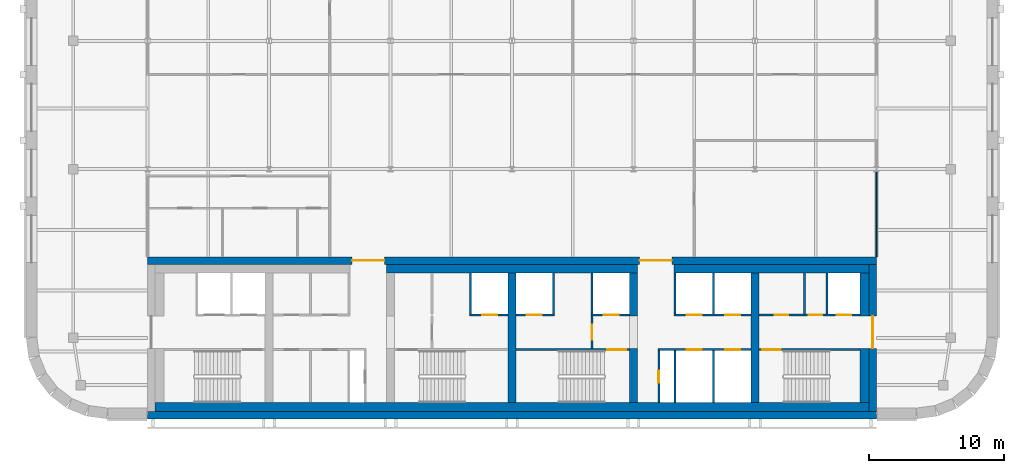
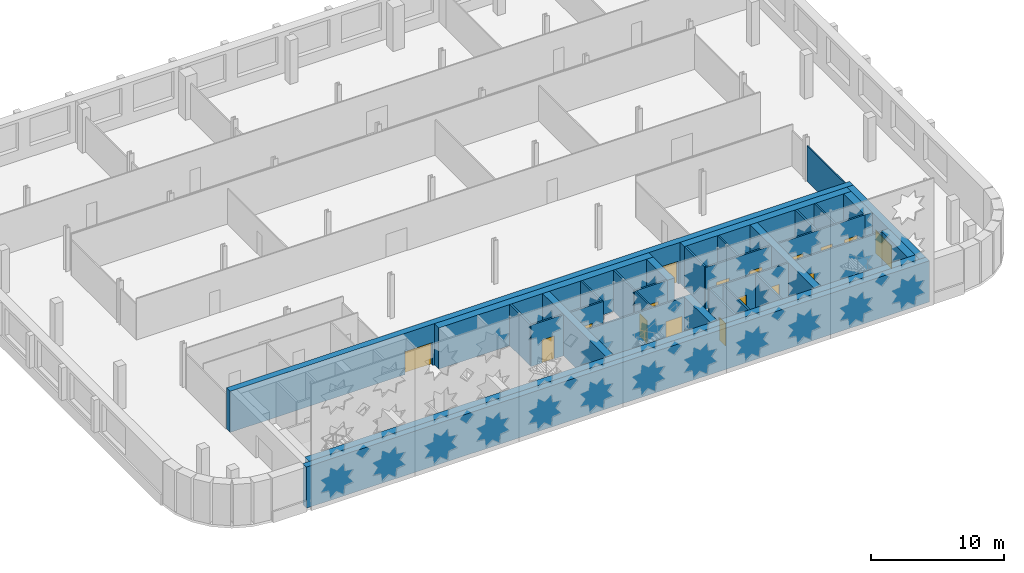
# One storey, part 8 of 15: 32 walls, 17 doors, 17 openings.
"""IFC4 building model written with IfcOpenShell, lengths in metres."""

from ifc_helpers import new_model, si_unit, direction, frame, frame_2d, origin, place, context, subcontext, project, spatial, rectangle, extrude, material, layer, layer_set, type_object, element, fill, save


model = new_model("IFC4")

# Units and contexts
model_context = context("Model", 3, precision=1e-05, world=origin(), true_north=direction((0.0, 1.0)))
body_context = subcontext(model_context, "Body", "Model", "MODEL_VIEW")
ifc_project = project(units=[si_unit("LENGTHUNIT", "METRE"), si_unit("AREAUNIT", "SQUARE_METRE"), si_unit("VOLUMEUNIT", "CUBIC_METRE"), si_unit("PLANEANGLEUNIT", "RADIAN"), si_unit("MASSUNIT", "GRAM", prefix="KILO")], contexts=[model_context])

# Site, building, storey
site_placement = place(None, origin())
site = spatial("IfcSite", under=ifc_project, at=site_placement, CompositionType="ELEMENT")
building_placement = place(site_placement, origin())
building = spatial("IfcBuilding", under=site, at=building_placement, Name="Zellij Exchange Tower", CompositionType="ELEMENT")
storey_placement = place(building_placement, frame((0.0, 0.0, 276.5)))
storey = spatial("IfcBuildingStorey", under=building, at=storey_placement, Name="L65", CompositionType="ELEMENT", Elevation=276.5)

# Walls
ifc_material_1 = material(Name="Concrete C50/60", Category="concrete")
ifc_layer_1 = layer(ifc_material_1, 0.60009765625)
ifc_layer_set_1 = layer_set([ifc_layer_1], Name="Concrete C50/60")
wall_type_1 = type_object("IfcWallType", Name="CORE-CW 600 C50/60", PredefinedType="SHEAR", material=ifc_layer_set_1)
wall_1_placement = place(storey_placement, frame((0.0, -12.800048828125, 0.0), z_axis=(0.0, 0.0, 1.0), x_axis=(0.0, 1.0, 0.0)))
element("IfcWall", 1, at=wall_1_placement, inside=storey, type_object=wall_type_1, Name="Core cross wall x 0 L65", PredefinedType="SHEAR", context=body_context, shape_type="SweptSolid", body=[
    extrude(rectangle(XDim=9.60009765625, YDim=0.60009765625, at=frame_2d((4.800048828125, 0.0))), origin(), (0.0, 0.0, 1.0), 3.780029296875),
])
wall_2_placement = place(storey_placement, frame((9.0, -12.800048828125, 0.0), z_axis=(0.0, 0.0, 1.0), x_axis=(0.0, 1.0, 0.0)))
element("IfcWall", 2, at=wall_2_placement, inside=storey, type_object=wall_type_1, Name="Core cross wall pier x 9 a L65", PredefinedType="SHEAR", context=body_context, shape_type="SweptSolid", body=[
    extrude(rectangle(XDim=4.0, YDim=0.60009765625, at=frame_2d((2.0, 0.0))), origin(), (0.0, 0.0, 1.0), 3.780029296875),
])
wall_3_placement = place(storey_placement, frame((9.0, -6.375, 0.0), z_axis=(0.0, 0.0, 1.0), x_axis=(0.0, 1.0, 0.0)))
element("IfcWall", 3, at=wall_3_placement, inside=storey, type_object=wall_type_1, Name="Core cross wall pier x 9 b L65", PredefinedType="SHEAR", context=body_context, shape_type="SweptSolid", body=[
    extrude(rectangle(XDim=3.175048828125, YDim=0.60009765625, at=frame_2d((1.58740234375, 0.0))), origin(), (0.0, 0.0, 1.0), 3.780029296875),
])
wall_4_placement = place(storey_placement, frame((18.0, -12.800048828125, 0.0), z_axis=(0.0, 0.0, 1.0), x_axis=(0.0, 1.0, 0.0)))
element("IfcWall", 4, at=wall_4_placement, inside=storey, type_object=wall_type_1, Name="Core cross wall x 18 L65", PredefinedType="SHEAR", context=body_context, shape_type="SweptSolid", body=[
    extrude(rectangle(XDim=9.60009765625, YDim=0.60009765625, at=frame_2d((4.800048828125, 0.0))), origin(), (0.0, 0.0, 1.0), 3.780029296875),
])
ifc_material_2 = material(Name="Concrete C30/37", Category="concrete")
ifc_layer_2 = layer(ifc_material_2, 0.64990234375)
ifc_layer_set_2 = layer_set([ifc_layer_2], Name="Concrete C30/37")
wall_type_2 = type_object("IfcWallType", Name="CORE-LW 650 C30/37", PredefinedType="SHEAR", material=ifc_layer_set_2)
wall_5_placement = place(storey_placement, frame((-9.300048828125, -2.875, 0.0), z_axis=(0.0, 0.0, 1.0), x_axis=(1.0, 0.0, 0.0)))
element("IfcWall", 5, at=wall_5_placement, inside=storey, type_object=wall_type_2, Name="Core wall lining front.1 L65", PredefinedType="SHEAR", context=body_context, shape_type="SweptSolid", body=[
    extrude(rectangle(XDim=18.60009765625, YDim=0.64990234375, at=frame_2d((9.300048828125, 0.0))), origin(), (0.0, 0.0, 1.0), 3.780029296875),
])
wall_6_placement = place(storey_placement, frame((12.0, -2.875, 0.0), z_axis=(0.0, 0.0, 1.0), x_axis=(1.0, 0.0, 0.0)))
element("IfcWall", 6, at=wall_6_placement, inside=storey, type_object=wall_type_2, Name="Core wall lining front.2 L65", PredefinedType="SHEAR", context=body_context, shape_type="SweptSolid", body=[
    extrude(rectangle(XDim=14.449951171875, YDim=0.64990234375, at=frame_2d((7.22509765625, 0.0))), origin(), (0.0, 0.0, 1.0), 3.780029296875),
])
wall_7_placement = place(storey_placement, frame((-26.449951171875, -13.125, 0.0), z_axis=(0.0, 0.0, 1.0), x_axis=(1.0, 0.0, 0.0)))
element("IfcWall", 7, at=wall_7_placement, inside=storey, type_object=wall_type_2, Name="Core wall lining rear.0 L65", PredefinedType="SHEAR", context=body_context, shape_type="SweptSolid", body=[
    extrude(rectangle(XDim=52.89990234375, YDim=0.64990234375, at=frame_2d((26.449951171875, 0.0))), origin(), (0.0, 0.0, 1.0), 3.780029296875),
])
wall_8_placement = place(storey_placement, frame((26.125, -12.800048828125, 0.0), z_axis=(0.0, 0.0, 1.0), x_axis=(0.0, 1.0, 0.0)))
element("IfcWall", 8, at=wall_8_placement, inside=storey, type_object=wall_type_2, Name="Core wall lining end e.0 L65", PredefinedType="SHEAR", context=body_context, shape_type="SweptSolid", body=[
    extrude(rectangle(XDim=4.0, YDim=0.64990234375, at=frame_2d((2.0, 0.0))), origin(), (0.0, 0.0, 1.0), 3.780029296875),
])
wall_9_placement = place(storey_placement, frame((26.125, -6.375, 0.0), z_axis=(0.0, 0.0, 1.0), x_axis=(0.0, 1.0, 0.0)))
element("IfcWall", 9, at=wall_9_placement, inside=storey, type_object=wall_type_2, Name="Core wall lining end e.1 L65", PredefinedType="SHEAR", context=body_context, shape_type="SweptSolid", body=[
    extrude(rectangle(XDim=3.175048828125, YDim=0.64990234375, at=frame_2d((1.58740234375, 0.0))), origin(), (0.0, 0.0, 1.0), 3.780029296875),
])

# Wall, opening, door
ifc_material_3 = material(Name="Gypsum shaft wall system")
ifc_layer_3 = layer(ifc_material_3, 0.14990234375)
ifc_layer_set_3 = layer_set([ifc_layer_3], Name="Gypsum shaft wall system")
wall_type_3 = type_object("IfcWallType", Name="CORE-PW 150 Firefighting lobby wall", PredefinedType="PARTITIONING", material=ifc_layer_set_3)
wall_10_placement = place(storey_placement, frame((5.925048828125, -8.800048828125, 0.0), z_axis=(0.0, 0.0, 1.0), x_axis=(0.0, 1.0, 0.0)))
wall_10 = element("IfcWall", 10, at=wall_10_placement, inside=storey, type_object=wall_type_3, Name="Firefighting lobby wall L65", PredefinedType="PARTITIONING", context=body_context, shape_type="SweptSolid", body=[
    extrude(rectangle(XDim=2.425048828125, YDim=0.14990234375, at=frame_2d((1.21240234375, 0.0))), origin(), (0.0, 0.0, 1.0), 3.780029296875),
])
opening_1_placement = place(wall_10_placement, frame((0.662109375, 0.0, 0.0)))
opening_1 = element("IfcOpeningElement", 11, at=opening_1_placement, cuts=wall_10, Name="Opening CA-34.15", PredefinedType="OPENING", context=body_context, shape_type="SweptSolid", body=[
    extrude(rectangle(XDim=1.10009765625, YDim=2.10009765625, at=frame_2d((0.550048828125, 1.050048828125))), frame((0.0, 0.0869140625, 0.0), z_axis=(0.0, -1.0, 0.0), x_axis=(1.0, 0.0, 0.0)), (0.0, 0.0, 1.0), 0.173828125),
])
ifc_material_4 = material(Name="Hollow metal fire door")
door_type_1 = type_object("IfcDoorType", Name="CORE-D F Firefighting lobby door 1100x2100 1 HR", OperationType="NOTDEFINED", PredefinedType="DOOR", material=ifc_material_4)
door_1_placement = place(opening_1_placement, origin())
door_1 = element("IfcDoor", 12, at=door_1_placement, inside=storey, type_object=door_type_1, Name="Firefighting lobby door CA-34.15", OperationType="SINGLE_SWING_RIGHT", OverallHeight=2.10009765625, OverallWidth=1.10009765625, PredefinedType="DOOR", context=body_context, shape_type="SweptSolid", body=[
    extrude(rectangle(XDim=1.10009765625, YDim=2.10009765625, at=frame_2d((0.550048828125, 1.050048828125))), frame((0.0, 0.02490234375, 0.0), z_axis=(0.0, -1.0, 0.0), x_axis=(1.0, 0.0, 0.0)), (0.0, 0.0, 1.0), 0.050048828125),
])
fill(opening_1, door_1)

# Wall
ifc_material_5 = material(Name="Gypsum board partition")
ifc_layer_4 = layer(ifc_material_5, 0.14990234375)
ifc_layer_set_4 = layer_set([ifc_layer_4], Name="Gypsum board partition")
wall_type_4 = type_object("IfcWallType", Name="CORE-PW 150 Lift lobby wall", PredefinedType="PARTITIONING", material=ifc_layer_set_4)
wall_11_placement = place(storey_placement, frame((21.675048828125, -6.22509765625, 0.0), z_axis=(0.0, 0.0, 1.0), x_axis=(0.0, 1.0, 0.0)))
element("IfcWall", 13, at=wall_11_placement, inside=storey, type_object=wall_type_4, Name="Lift lobby wall L65", PredefinedType="PARTITIONING", context=body_context, shape_type="SweptSolid", body=[
    extrude(rectangle(XDim=3.025146484375, YDim=0.14990234375, at=frame_2d((1.5126953125, 0.0))), origin(), (0.0, 0.0, 1.0), 3.780029296875),
])

# Wall, opening, door
wall_12_placement = place(storey_placement, frame((10.875, -12.800048828125, 0.0), z_axis=(0.0, 0.0, 1.0), x_axis=(0.0, 1.0, 0.0)))
wall_12 = element("IfcWall", 14, at=wall_12_placement, inside=storey, type_object=wall_type_4, Name="Lift lobby wall L65", PredefinedType="PARTITIONING", context=body_context, shape_type="SweptSolid", body=[
    extrude(rectangle(XDim=3.85009765625, YDim=0.14990234375, at=frame_2d((1.925048828125, 0.0))), origin(), (0.0, 0.0, 1.0), 3.780029296875),
])
opening_2_placement = place(wall_12_placement, frame((1.47509765625, 0.0, 0.0)))
opening_2 = element("IfcOpeningElement", 15, at=opening_2_placement, cuts=wall_12, Name="Opening CA-34.19", PredefinedType="OPENING", context=body_context, shape_type="SweptSolid", body=[
    extrude(rectangle(XDim=0.89990234375, YDim=2.10009765625, at=frame_2d((0.449951171875, 1.050048828125))), frame((0.0, 0.0869140625, 0.0), z_axis=(0.0, -1.0, 0.0), x_axis=(1.0, 0.0, 0.0)), (0.0, 0.0, 1.0), 0.173828125),
])
door_type_2 = type_object("IfcDoorType", Name="CORE-D RD Riser door 900x2100 1.5 HR", OperationType="NOTDEFINED", PredefinedType="DOOR", material=ifc_material_4)
door_2_placement = place(opening_2_placement, origin())
door_2 = element("IfcDoor", 16, at=door_2_placement, inside=storey, type_object=door_type_2, Name="Riser door CA-34.19", OperationType="SINGLE_SWING_LEFT", OverallHeight=2.10009765625, OverallWidth=0.89990234375, PredefinedType="DOOR", context=body_context, shape_type="SweptSolid", body=[
    extrude(rectangle(XDim=0.89990234375, YDim=2.10009765625, at=frame_2d((0.449951171875, 1.050048828125))), frame((0.0, 0.02490234375, 0.0), z_axis=(0.0, -1.0, 0.0), x_axis=(1.0, 0.0, 0.0)), (0.0, 0.0, 1.0), 0.050048828125),
])
fill(opening_2, door_2)

# Walls
ifc_layer_5 = layer(ifc_material_3, 0.14990234375)
ifc_layer_set_5 = layer_set([ifc_layer_5], Name="Gypsum shaft wall system")
wall_type_5 = type_object("IfcWallType", Name="CORE-PW 150 Lift shaft wall", PredefinedType="PARTITIONING", material=ifc_layer_set_5)
for number, where, z_axis, x_axis, name in (
    (17, (-3.074951171875, -6.22509765625, 0.0), (0.0, 0.0, 1.0), (0.0, 1.0, 0.0), "Lift shaft wall L65"),
    (18, (3.074951171875, -6.22509765625, 0.0), (0.0, 0.0, 1.0), (0.0, 1.0, 0.0), "Lift shaft wall L65"),
    (19, (5.925048828125, -6.22509765625, 0.0), (0.0, 0.0, 1.0), (0.0, 1.0, 0.0), "Lift shaft wall L65"),
    (20, (12.074951171875, -6.22509765625, 0.0), (0.0, 0.0, 1.0), (0.0, 1.0, 0.0), "Lift shaft wall L65"),
    (21, (14.925048828125, -6.22509765625, 0.0), (0.0, 0.0, 1.0), (0.0, 1.0, 0.0), "Lift shaft wall L65"),
    (22, (23.324951171875, -6.22509765625, 0.0), (0.0, 0.0, 1.0), (0.0, 1.0, 0.0), "Lift shaft wall L65"),
):
    element("IfcWall", number, at=place(storey_placement, frame(where, z_axis=z_axis, x_axis=x_axis)), inside=storey, type_object=wall_type_5, Name=name, PredefinedType="PARTITIONING", context=body_context, shape_type="SweptSolid", body=[
        extrude(rectangle(XDim=3.025146484375, YDim=0.14990234375, at=frame_2d((1.5126953125, 0.0))), origin(), (0.0, 0.0, 1.0), 3.780029296875),
    ])
for number, where, z_axis, x_axis, name in (
    (23, (12.074951171875, -12.800048828125, 0.0), (0.0, 0.0, 1.0), (0.0, 1.0, 0.0), "Lift shaft wall L65"),
    (24, (14.925048828125, -12.800048828125, 0.0), (0.0, 0.0, 1.0), (0.0, 1.0, 0.0), "Lift shaft wall L65"),
):
    element("IfcWall", number, at=place(storey_placement, frame(where, z_axis=z_axis, x_axis=x_axis)), inside=storey, type_object=wall_type_5, Name=name, PredefinedType="PARTITIONING", context=body_context, shape_type="SweptSolid", body=[
        extrude(rectangle(XDim=3.85009765625, YDim=0.14990234375, at=frame_2d((1.925048828125, 0.0))), origin(), (0.0, 0.0, 1.0), 3.780029296875),
    ])

# Wall, opening, door
wall_13_placement = place(storey_placement, frame((-3.14990234375, -6.300048828125, 0.0), z_axis=(0.0, 0.0, 1.0), x_axis=(1.0, 0.0, 0.0)))
wall_13 = element("IfcWall", 25, at=wall_13_placement, inside=storey, type_object=wall_type_5, Name="Lift shaft wall L65", PredefinedType="PARTITIONING", context=body_context, shape_type="SweptSolid", body=[
    extrude(rectangle(XDim=2.849853515625, YDim=0.14990234375, at=frame_2d((1.4248046875, 0.0))), origin(), (0.0, 0.0, 1.0), 3.780029296875),
])
opening_3_placement = place(wall_13_placement, frame((0.949951171875, 0.0, 0.0)))
opening_3 = element("IfcOpeningElement", 26, at=opening_3_placement, cuts=wall_13, Name="Opening CA-34.13", PredefinedType="OPENING", context=body_context, shape_type="SweptSolid", body=[
    extrude(rectangle(XDim=1.10009765625, YDim=2.10009765625, at=frame_2d((0.550048828125, 1.050048828125))), frame((0.0, 0.0869140625, 0.0), z_axis=(0.0, -1.0, 0.0), x_axis=(1.0, 0.0, 0.0)), (0.0, 0.0, 1.0), 0.173828125),
])
door_type_3 = type_object("IfcDoorType", Name="CORE-D LD Lift landing door 1100x2100 1.5 HR", OperationType="NOTDEFINED", PredefinedType="DOOR", material=ifc_material_4)
door_3_placement = place(opening_3_placement, origin())
door_3 = element("IfcDoor", 27, at=door_3_placement, inside=storey, type_object=door_type_3, Name="Lift landing door CA-34.13", OperationType="SLIDING_TO_LEFT", OverallHeight=2.10009765625, OverallWidth=1.10009765625, PredefinedType="DOOR", context=body_context, shape_type="SweptSolid", body=[
    extrude(rectangle(XDim=1.10009765625, YDim=2.10009765625, at=frame_2d((0.550048828125, 1.050048828125))), frame((0.0, 0.02490234375, 0.0), z_axis=(0.0, -1.0, 0.0), x_axis=(1.0, 0.0, 0.0)), (0.0, 0.0, 1.0), 0.050048828125),
])
fill(opening_3, door_3)

wall_14_placement = place(storey_placement, frame((0.300048828125, -6.300048828125, 0.0), z_axis=(0.0, 0.0, 1.0), x_axis=(1.0, 0.0, 0.0)))
wall_14 = element("IfcWall", 28, at=wall_14_placement, inside=storey, type_object=wall_type_5, Name="Lift shaft wall L65", PredefinedType="PARTITIONING", context=body_context, shape_type="SweptSolid", body=[
    extrude(rectangle(XDim=2.849853515625, YDim=0.14990234375, at=frame_2d((1.4248046875, 0.0))), origin(), (0.0, 0.0, 1.0), 3.780029296875),
])
opening_4_placement = place(wall_14_placement, frame((0.800048828125, 0.0, 0.0)))
opening_4 = element("IfcOpeningElement", 29, at=opening_4_placement, cuts=wall_14, Name="Opening CA-34.14", PredefinedType="OPENING", context=body_context, shape_type="SweptSolid", body=[
    extrude(rectangle(XDim=1.10009765625, YDim=2.10009765625, at=frame_2d((0.550048828125, 1.050048828125))), frame((0.0, 0.0869140625, 0.0), z_axis=(0.0, -1.0, 0.0), x_axis=(1.0, 0.0, 0.0)), (0.0, 0.0, 1.0), 0.173828125),
])
door_4_placement = place(opening_4_placement, origin())
door_4 = element("IfcDoor", 30, at=door_4_placement, inside=storey, type_object=door_type_3, Name="Lift landing door CA-34.14", OperationType="SLIDING_TO_RIGHT", OverallHeight=2.10009765625, OverallWidth=1.10009765625, PredefinedType="DOOR", context=body_context, shape_type="SweptSolid", body=[
    extrude(rectangle(XDim=1.10009765625, YDim=2.10009765625, at=frame_2d((0.550048828125, 1.050048828125))), frame((0.0, 0.02490234375, 0.0), z_axis=(0.0, -1.0, 0.0), x_axis=(1.0, 0.0, 0.0)), (0.0, 0.0, 1.0), 0.050048828125),
])
fill(opening_4, door_4)

wall_15_placement = place(storey_placement, frame((5.85009765625, -6.300048828125, 0.0), z_axis=(0.0, 0.0, 1.0), x_axis=(1.0, 0.0, 0.0)))
wall_15 = element("IfcWall", 31, at=wall_15_placement, inside=storey, type_object=wall_type_5, Name="Lift shaft wall L65", PredefinedType="PARTITIONING", context=body_context, shape_type="SweptSolid", body=[
    extrude(rectangle(XDim=2.849853515625, YDim=0.14990234375, at=frame_2d((1.4248046875, 0.0))), origin(), (0.0, 0.0, 1.0), 3.780029296875),
])
opening_5_placement = place(wall_15_placement, frame((0.949951171875, 0.0, 0.0)))
opening_5 = element("IfcOpeningElement", 32, at=opening_5_placement, cuts=wall_15, Name="Opening CA-34.16", PredefinedType="OPENING", context=body_context, shape_type="SweptSolid", body=[
    extrude(rectangle(XDim=1.10009765625, YDim=2.10009765625, at=frame_2d((0.550048828125, 1.050048828125))), frame((0.0, 0.0869140625, 0.0), z_axis=(0.0, -1.0, 0.0), x_axis=(1.0, 0.0, 0.0)), (0.0, 0.0, 1.0), 0.173828125),
])
door_5_placement = place(opening_5_placement, origin())
door_5 = element("IfcDoor", 33, at=door_5_placement, inside=storey, type_object=door_type_3, Name="Lift landing door CA-34.16", OperationType="SLIDING_TO_RIGHT", OverallHeight=2.10009765625, OverallWidth=1.10009765625, PredefinedType="DOOR", context=body_context, shape_type="SweptSolid", body=[
    extrude(rectangle(XDim=1.10009765625, YDim=2.10009765625, at=frame_2d((0.550048828125, 1.050048828125))), frame((0.0, 0.02490234375, 0.0), z_axis=(0.0, -1.0, 0.0), x_axis=(1.0, 0.0, 0.0)), (0.0, 0.0, 1.0), 0.050048828125),
])
fill(opening_5, door_5)

# Wall, openings, doors
wall_16_placement = place(storey_placement, frame((12.0, -6.300048828125, 0.0), z_axis=(0.0, 0.0, 1.0), x_axis=(1.0, 0.0, 0.0)))
wall_16 = element("IfcWall", 34, at=wall_16_placement, inside=storey, type_object=wall_type_5, Name="Lift shaft wall L65", PredefinedType="PARTITIONING", context=body_context, shape_type="SweptSolid", body=[
    extrude(rectangle(XDim=5.699951171875, YDim=0.14990234375, at=frame_2d((2.85009765625, 0.0))), origin(), (0.0, 0.0, 1.0), 3.780029296875),
])
opening_6_placement = place(wall_16_placement, frame((0.949951171875, 0.0, 0.0)))
opening_6 = element("IfcOpeningElement", 35, at=opening_6_placement, cuts=wall_16, Name="Opening CA-34.21", PredefinedType="OPENING", context=body_context, shape_type="SweptSolid", body=[
    extrude(rectangle(XDim=1.10009765625, YDim=2.10009765625, at=frame_2d((0.550048828125, 1.050048828125))), frame((0.0, 0.0869140625, 0.0), z_axis=(0.0, -1.0, 0.0), x_axis=(1.0, 0.0, 0.0)), (0.0, 0.0, 1.0), 0.173828125),
])
opening_7_placement = place(wall_16_placement, frame((3.800048828125, 0.0, 0.0)))
opening_7 = element("IfcOpeningElement", 36, at=opening_7_placement, cuts=wall_16, Name="Opening CA-34.23", PredefinedType="OPENING", context=body_context, shape_type="SweptSolid", body=[
    extrude(rectangle(XDim=1.10009765625, YDim=2.10009765625, at=frame_2d((0.550048828125, 1.050048828125))), frame((0.0, 0.0869140625, 0.0), z_axis=(0.0, -1.0, 0.0), x_axis=(1.0, 0.0, 0.0)), (0.0, 0.0, 1.0), 0.173828125),
])
door_6_placement = place(opening_6_placement, origin())
door_6 = element("IfcDoor", 37, at=door_6_placement, inside=storey, type_object=door_type_3, Name="Lift landing door CA-34.21", OperationType="SLIDING_TO_LEFT", OverallHeight=2.10009765625, OverallWidth=1.10009765625, PredefinedType="DOOR", context=body_context, shape_type="SweptSolid", body=[
    extrude(rectangle(XDim=1.10009765625, YDim=2.10009765625, at=frame_2d((0.550048828125, 1.050048828125))), frame((0.0, 0.02490234375, 0.0), z_axis=(0.0, -1.0, 0.0), x_axis=(1.0, 0.0, 0.0)), (0.0, 0.0, 1.0), 0.050048828125),
])
fill(opening_6, door_6)
door_7_placement = place(opening_7_placement, origin())
door_7 = element("IfcDoor", 38, at=door_7_placement, inside=storey, type_object=door_type_3, Name="Lift landing door CA-34.23", OperationType="SLIDING_TO_LEFT", OverallHeight=2.10009765625, OverallWidth=1.10009765625, PredefinedType="DOOR", context=body_context, shape_type="SweptSolid", body=[
    extrude(rectangle(XDim=1.10009765625, YDim=2.10009765625, at=frame_2d((0.550048828125, 1.050048828125))), frame((0.0, 0.02490234375, 0.0), z_axis=(0.0, -1.0, 0.0), x_axis=(1.0, 0.0, 0.0)), (0.0, 0.0, 1.0), 0.050048828125),
])
fill(opening_7, door_7)

wall_17_placement = place(storey_placement, frame((18.300048828125, -6.300048828125, 0.0), z_axis=(0.0, 0.0, 1.0), x_axis=(1.0, 0.0, 0.0)))
wall_17 = element("IfcWall", 39, at=wall_17_placement, inside=storey, type_object=wall_type_5, Name="Lift shaft wall L65", PredefinedType="PARTITIONING", context=body_context, shape_type="SweptSolid", body=[
    extrude(rectangle(XDim=7.5, YDim=0.14990234375, at=frame_2d((3.75, 0.0))), origin(), (0.0, 0.0, 1.0), 3.780029296875),
])
opening_8_placement = place(wall_17_placement, frame((1.14990234375, 0.0, 0.0)))
opening_8 = element("IfcOpeningElement", 40, at=opening_8_placement, cuts=wall_17, Name="Opening CA-34.25", PredefinedType="OPENING", context=body_context, shape_type="SweptSolid", body=[
    extrude(rectangle(XDim=1.0, YDim=2.10009765625, at=frame_2d((0.5, 1.050048828125))), frame((0.0, 0.0869140625, 0.0), z_axis=(0.0, -1.0, 0.0), x_axis=(1.0, 0.0, 0.0)), (0.0, 0.0, 1.0), 0.173828125),
])
opening_9_placement = place(wall_17_placement, frame((3.699951171875, 0.0, 0.0)))
opening_9 = element("IfcOpeningElement", 41, at=opening_9_placement, cuts=wall_17, Name="Opening CA-34.26", PredefinedType="OPENING", context=body_context, shape_type="SweptSolid", body=[
    extrude(rectangle(XDim=1.0, YDim=2.10009765625, at=frame_2d((0.5, 1.050048828125))), frame((0.0, 0.0869140625, 0.0), z_axis=(0.0, -1.0, 0.0), x_axis=(1.0, 0.0, 0.0)), (0.0, 0.0, 1.0), 0.173828125),
])
opening_10_placement = place(wall_17_placement, frame((5.75, 0.0, 0.0)))
opening_10 = element("IfcOpeningElement", 42, at=opening_10_placement, cuts=wall_17, Name="Opening CA-34.27", PredefinedType="OPENING", context=body_context, shape_type="SweptSolid", body=[
    extrude(rectangle(XDim=1.10009765625, YDim=2.10009765625, at=frame_2d((0.550048828125, 1.050048828125))), frame((0.0, 0.0869140625, 0.0), z_axis=(0.0, -1.0, 0.0), x_axis=(1.0, 0.0, 0.0)), (0.0, 0.0, 1.0), 0.173828125),
])
door_type_4 = type_object("IfcDoorType", Name="CORE-D CD Core room door 1000x2100 1 HR", OperationType="NOTDEFINED", PredefinedType="DOOR", material=ifc_material_4)
door_8_placement = place(opening_8_placement, origin())
door_8 = element("IfcDoor", 43, at=door_8_placement, inside=storey, type_object=door_type_4, Name="Core room door CA-34.25", OperationType="SINGLE_SWING_LEFT", OverallHeight=2.10009765625, OverallWidth=1.0, PredefinedType="DOOR", context=body_context, shape_type="SweptSolid", body=[
    extrude(rectangle(XDim=1.0, YDim=2.10009765625, at=frame_2d((0.5, 1.050048828125))), frame((0.0, 0.02490234375, 0.0), z_axis=(0.0, -1.0, 0.0), x_axis=(1.0, 0.0, 0.0)), (0.0, 0.0, 1.0), 0.050048828125),
])
fill(opening_8, door_8)
door_9_placement = place(opening_9_placement, origin())
door_9 = element("IfcDoor", 44, at=door_9_placement, inside=storey, type_object=door_type_4, Name="Core room door CA-34.26", OperationType="SINGLE_SWING_RIGHT", OverallHeight=2.10009765625, OverallWidth=1.0, PredefinedType="DOOR", context=body_context, shape_type="SweptSolid", body=[
    extrude(rectangle(XDim=1.0, YDim=2.10009765625, at=frame_2d((0.5, 1.050048828125))), frame((0.0, 0.02490234375, 0.0), z_axis=(0.0, -1.0, 0.0), x_axis=(1.0, 0.0, 0.0)), (0.0, 0.0, 1.0), 0.050048828125),
])
fill(opening_9, door_9)
door_10_placement = place(opening_10_placement, origin())
door_10 = element("IfcDoor", 45, at=door_10_placement, inside=storey, type_object=door_type_3, Name="Lift landing door CA-34.27", OperationType="SLIDING_TO_LEFT", OverallHeight=2.10009765625, OverallWidth=1.10009765625, PredefinedType="DOOR", context=body_context, shape_type="SweptSolid", body=[
    extrude(rectangle(XDim=1.10009765625, YDim=2.10009765625, at=frame_2d((0.550048828125, 1.050048828125))), frame((0.0, 0.02490234375, 0.0), z_axis=(0.0, -1.0, 0.0), x_axis=(1.0, 0.0, 0.0)), (0.0, 0.0, 1.0), 0.050048828125),
])
fill(opening_10, door_10)

wall_18_placement = place(storey_placement, frame((10.800048828125, -8.875, 0.0), z_axis=(0.0, 0.0, 1.0), x_axis=(1.0, 0.0, 0.0)))
wall_18 = element("IfcWall", 46, at=wall_18_placement, inside=storey, type_object=wall_type_5, Name="Lift shaft wall L65", PredefinedType="PARTITIONING", context=body_context, shape_type="SweptSolid", body=[
    extrude(rectangle(XDim=6.89990234375, YDim=0.14990234375, at=frame_2d((3.449951171875, 0.0))), origin(), (0.0, 0.0, 1.0), 3.780029296875),
])
opening_11_placement = place(wall_18_placement, frame((2.14990234375, 0.0, 0.0)))
opening_11 = element("IfcOpeningElement", 47, at=opening_11_placement, cuts=wall_18, Name="Opening CA-34.20", PredefinedType="OPENING", context=body_context, shape_type="SweptSolid", body=[
    extrude(rectangle(XDim=1.10009765625, YDim=2.10009765625, at=frame_2d((0.550048828125, 1.050048828125))), frame((0.0, 0.0869140625, 0.0), z_axis=(0.0, -1.0, 0.0), x_axis=(1.0, 0.0, 0.0)), (0.0, 0.0, 1.0), 0.173828125),
])
opening_12_placement = place(wall_18_placement, frame((5.0, 0.0, 0.0)))
opening_12 = element("IfcOpeningElement", 48, at=opening_12_placement, cuts=wall_18, Name="Opening CA-34.22", PredefinedType="OPENING", context=body_context, shape_type="SweptSolid", body=[
    extrude(rectangle(XDim=1.10009765625, YDim=2.10009765625, at=frame_2d((0.550048828125, 1.050048828125))), frame((0.0, 0.0869140625, 0.0), z_axis=(0.0, -1.0, 0.0), x_axis=(1.0, 0.0, 0.0)), (0.0, 0.0, 1.0), 0.173828125),
])
door_11_placement = place(opening_11_placement, origin())
door_11 = element("IfcDoor", 49, at=door_11_placement, inside=storey, type_object=door_type_3, Name="Lift landing door CA-34.20", OperationType="SLIDING_TO_RIGHT", OverallHeight=2.10009765625, OverallWidth=1.10009765625, PredefinedType="DOOR", context=body_context, shape_type="SweptSolid", body=[
    extrude(rectangle(XDim=1.10009765625, YDim=2.10009765625, at=frame_2d((0.550048828125, 1.050048828125))), frame((0.0, 0.02490234375, 0.0), z_axis=(0.0, -1.0, 0.0), x_axis=(1.0, 0.0, 0.0)), (0.0, 0.0, 1.0), 0.050048828125),
])
fill(opening_11, door_11)
door_12_placement = place(opening_12_placement, origin())
door_12 = element("IfcDoor", 50, at=door_12_placement, inside=storey, type_object=door_type_3, Name="Lift landing door CA-34.22", OperationType="SLIDING_TO_RIGHT", OverallHeight=2.10009765625, OverallWidth=1.10009765625, PredefinedType="DOOR", context=body_context, shape_type="SweptSolid", body=[
    extrude(rectangle(XDim=1.10009765625, YDim=2.10009765625, at=frame_2d((0.550048828125, 1.050048828125))), frame((0.0, 0.02490234375, 0.0), z_axis=(0.0, -1.0, 0.0), x_axis=(1.0, 0.0, 0.0)), (0.0, 0.0, 1.0), 0.050048828125),
])
fill(opening_12, door_12)

ifc_layer_6 = layer(ifc_material_1, 0.550048828125)
ifc_layer_set_6 = layer_set([ifc_layer_6], Name="Concrete C50/60")
wall_type_6 = type_object("IfcWallType", Name="CORE-SW 550 C50/60", PredefinedType="SHEAR", material=ifc_layer_set_6)
wall_19_placement = place(storey_placement, frame((-27.0, -2.27490234375, 0.0), z_axis=(0.0, 0.0, 1.0), x_axis=(1.0, 0.0, 0.0)))
wall_19 = element("IfcWall", 51, at=wall_19_placement, inside=storey, type_object=wall_type_6, Name="Core shear wall front L65", PredefinedType="SHEAR", context=body_context, shape_type="SweptSolid", body=[
    extrude(rectangle(XDim=54.0, YDim=0.550048828125, at=frame_2d((27.0, 0.0))), origin(), (0.0, 0.0, 1.0), 3.780029296875),
])
opening_13_placement = place(wall_19_placement, frame((15.14990234375, 0.0, 0.0)))
opening_13 = element("IfcOpeningElement", 52, at=opening_13_placement, cuts=wall_19, Name="Opening CA-34.10", PredefinedType="OPENING", context=body_context, shape_type="SweptSolid", body=[
    extrude(rectangle(XDim=2.39990234375, YDim=2.10009765625, at=frame_2d((1.199951171875, 1.050048828125))), frame((0.0, 0.287109375, 0.0), z_axis=(0.0, -1.0, 0.0), x_axis=(1.0, 0.0, 0.0)), (0.0, 0.0, 1.0), 0.573974609375),
])
opening_14_placement = place(wall_19_placement, frame((36.449951171875, 0.0, 0.0)))
opening_14 = element("IfcOpeningElement", 53, at=opening_14_placement, cuts=wall_19, Name="Opening CA-34.18", PredefinedType="OPENING", context=body_context, shape_type="SweptSolid", body=[
    extrude(rectangle(XDim=2.39990234375, YDim=2.10009765625, at=frame_2d((1.199951171875, 1.050048828125))), frame((0.0, 0.287109375, 0.0), z_axis=(0.0, -1.0, 0.0), x_axis=(1.0, 0.0, 0.0)), (0.0, 0.0, 1.0), 0.573974609375),
])
door_type_5 = type_object("IfcDoorType", Name="CORE-D CE Core entrance door 2400x2100 20 MIN", OperationType="NOTDEFINED", PredefinedType="DOOR", material=ifc_material_4)
door_13_placement = place(opening_13_placement, origin())
door_13 = element("IfcDoor", 54, at=door_13_placement, inside=storey, type_object=door_type_5, Name="Core entrance door CA-34.10", OperationType="DOUBLE_DOOR_SINGLE_SWING", OverallHeight=2.10009765625, OverallWidth=2.39990234375, PredefinedType="DOOR", context=body_context, shape_type="SweptSolid", body=[
    extrude(rectangle(XDim=2.39990234375, YDim=2.10009765625, at=frame_2d((1.199951171875, 1.050048828125))), frame((0.0, 0.02490234375, 0.0), z_axis=(0.0, -1.0, 0.0), x_axis=(1.0, 0.0, 0.0)), (0.0, 0.0, 1.0), 0.050048828125),
])
fill(opening_13, door_13)
door_14_placement = place(opening_14_placement, origin())
door_14 = element("IfcDoor", 55, at=door_14_placement, inside=storey, type_object=door_type_5, Name="Core entrance door CA-34.18", OperationType="DOUBLE_DOOR_SINGLE_SWING", OverallHeight=2.10009765625, OverallWidth=2.39990234375, PredefinedType="DOOR", context=body_context, shape_type="SweptSolid", body=[
    extrude(rectangle(XDim=2.39990234375, YDim=2.10009765625, at=frame_2d((1.199951171875, 1.050048828125))), frame((0.0, 0.02490234375, 0.0), z_axis=(0.0, -1.0, 0.0), x_axis=(1.0, 0.0, 0.0)), (0.0, 0.0, 1.0), 0.050048828125),
])
fill(opening_14, door_14)

# Wall
wall_20_placement = place(storey_placement, frame((-27.0, -13.72509765625, 0.0), z_axis=(0.0, 0.0, 1.0), x_axis=(1.0, 0.0, 0.0)))
element("IfcWall", 56, at=wall_20_placement, inside=storey, type_object=wall_type_6, Name="Core shear wall rear L65", PredefinedType="SHEAR", context=body_context, shape_type="SweptSolid", body=[
    extrude(rectangle(XDim=54.0, YDim=0.550048828125, at=frame_2d((27.0, 0.0))), origin(), (0.0, 0.0, 1.0), 3.780029296875),
])

# Wall, opening, door
wall_21_placement = place(storey_placement, frame((26.72509765625, -13.449951171875, 0.0), z_axis=(0.0, 0.0, 1.0), x_axis=(0.0, 1.0, 0.0)))
wall_21 = element("IfcWall", 57, at=wall_21_placement, inside=storey, type_object=wall_type_6, Name="Core shear wall end e L65", PredefinedType="SHEAR", context=body_context, shape_type="SweptSolid", body=[
    extrude(rectangle(XDim=10.89990234375, YDim=0.550048828125, at=frame_2d((5.449951171875, 0.0))), origin(), (0.0, 0.0, 1.0), 3.780029296875),
])
opening_15_placement = place(wall_21_placement, frame((4.662109375, 0.0, 0.0)))
opening_15 = element("IfcOpeningElement", 58, at=opening_15_placement, cuts=wall_21, Name="Opening CA-34.28", PredefinedType="OPENING", context=body_context, shape_type="SweptSolid", body=[
    extrude(rectangle(XDim=2.39990234375, YDim=2.10009765625, at=frame_2d((1.199951171875, 1.050048828125))), frame((0.0, 0.287109375, 0.0), z_axis=(0.0, -1.0, 0.0), x_axis=(1.0, 0.0, 0.0)), (0.0, 0.0, 1.0), 0.573974609375),
])
door_15_placement = place(opening_15_placement, origin())
door_15 = element("IfcDoor", 59, at=door_15_placement, inside=storey, type_object=door_type_5, Name="Core entrance door CA-34.28", OperationType="DOUBLE_DOOR_SINGLE_SWING", OverallHeight=2.10009765625, OverallWidth=2.39990234375, PredefinedType="DOOR", context=body_context, shape_type="SweptSolid", body=[
    extrude(rectangle(XDim=2.39990234375, YDim=2.10009765625, at=frame_2d((1.199951171875, 1.050048828125))), frame((0.0, 0.02490234375, 0.0), z_axis=(0.0, -1.0, 0.0), x_axis=(1.0, 0.0, 0.0)), (0.0, 0.0, 1.0), 0.050048828125),
])
fill(opening_15, door_15)

ifc_layer_7 = layer(ifc_material_1, 0.14990234375)
ifc_layer_set_7 = layer_set([ifc_layer_7], Name="Concrete C50/60")
wall_type_7 = type_object("IfcWallType", Name="CORE-SWS 150 C50/60", PredefinedType="SHEAR", material=ifc_layer_set_7)
wall_22_placement = place(storey_placement, frame((0.300048828125, -8.875, 0.0), z_axis=(0.0, 0.0, 1.0), x_axis=(1.0, 0.0, 0.0)))
wall_22 = element("IfcWall", 60, at=wall_22_placement, inside=storey, type_object=wall_type_7, Name="Stair enclosure wall L65", PredefinedType="SHEAR", context=body_context, shape_type="SweptSolid", body=[
    extrude(rectangle(XDim=8.39990234375, YDim=0.14990234375, at=frame_2d((4.199951171875, 0.0))), origin(), (0.0, 0.0, 1.0), 3.780029296875),
])
opening_16_placement = place(wall_22_placement, frame((6.77490234375, 0.0, 0.0)))
opening_16 = element("IfcOpeningElement", 61, at=opening_16_placement, cuts=wall_22, Name="Opening CA-34.17", PredefinedType="OPENING", context=body_context, shape_type="SweptSolid", body=[
    extrude(rectangle(XDim=1.39990234375, YDim=2.10009765625, at=frame_2d((0.699951171875, 1.050048828125))), frame((0.0, 0.0869140625, 0.0), z_axis=(0.0, -1.0, 0.0), x_axis=(1.0, 0.0, 0.0)), (0.0, 0.0, 1.0), 0.173828125),
])
door_type_6 = type_object("IfcDoorType", Name="CORE-D SD Stair door 1400x2100 1.5 HR", OperationType="NOTDEFINED", PredefinedType="DOOR", material=ifc_material_4)
door_16_placement = place(opening_16_placement, origin())
door_16 = element("IfcDoor", 62, at=door_16_placement, inside=storey, type_object=door_type_6, Name="Stair door CA-34.17", OperationType="DOUBLE_DOOR_SINGLE_SWING", OverallHeight=2.10009765625, OverallWidth=1.39990234375, PredefinedType="DOOR", context=body_context, shape_type="SweptSolid", body=[
    extrude(rectangle(XDim=1.39990234375, YDim=2.10009765625, at=frame_2d((0.699951171875, 1.050048828125))), frame((0.0, 0.02490234375, 0.0), z_axis=(0.0, -1.0, 0.0), x_axis=(1.0, 0.0, 0.0)), (0.0, 0.0, 1.0), 0.050048828125),
])
fill(opening_16, door_16)

wall_23_placement = place(storey_placement, frame((18.300048828125, -8.875, 0.0), z_axis=(0.0, 0.0, 1.0), x_axis=(1.0, 0.0, 0.0)))
wall_23 = element("IfcWall", 63, at=wall_23_placement, inside=storey, type_object=wall_type_7, Name="Stair enclosure wall L65", PredefinedType="SHEAR", context=body_context, shape_type="SweptSolid", body=[
    extrude(rectangle(XDim=7.5, YDim=0.14990234375, at=frame_2d((3.75, 0.0))), origin(), (0.0, 0.0, 1.0), 3.780029296875),
])
opening_17_placement = place(wall_23_placement, frame((0.22509765625, 0.0, 0.0)))
opening_17 = element("IfcOpeningElement", 64, at=opening_17_placement, cuts=wall_23, Name="Opening CA-34.24", PredefinedType="OPENING", context=body_context, shape_type="SweptSolid", body=[
    extrude(rectangle(XDim=1.39990234375, YDim=2.10009765625, at=frame_2d((0.699951171875, 1.050048828125))), frame((0.0, 0.0869140625, 0.0), z_axis=(0.0, -1.0, 0.0), x_axis=(1.0, 0.0, 0.0)), (0.0, 0.0, 1.0), 0.173828125),
])
door_17_placement = place(opening_17_placement, origin())
door_17 = element("IfcDoor", 65, at=door_17_placement, inside=storey, type_object=door_type_6, Name="Stair door CA-34.24", OperationType="DOUBLE_DOOR_SINGLE_SWING", OverallHeight=2.10009765625, OverallWidth=1.39990234375, PredefinedType="DOOR", context=body_context, shape_type="SweptSolid", body=[
    extrude(rectangle(XDim=1.39990234375, YDim=2.10009765625, at=frame_2d((0.699951171875, 1.050048828125))), frame((0.0, 0.02490234375, 0.0), z_axis=(0.0, -1.0, 0.0), x_axis=(1.0, 0.0, 0.0)), (0.0, 0.0, 1.0), 0.050048828125),
])
fill(opening_17, door_17)

# Wall
ifc_material_6 = material(Name="Gypsum board partition on steel studs", Category="steel")
ifc_layer_8 = layer(ifc_material_6, 0.10009765625)
ifc_layer_set_8 = layer_set([ifc_layer_8], Name="Gypsum board partition on steel studs")
wall_type_8 = type_object("IfcWallType", Name="FIT-PARTITION-100", PredefinedType="PARTITIONING", material=ifc_layer_set_8)
wall_24_placement = place(storey_placement, frame((27.0, -2.0, 0.0), z_axis=(0.0, 0.0, 1.0), x_axis=(0.0, 1.0, 0.0)))
element("IfcWall", 66, at=wall_24_placement, inside=storey, type_object=wall_type_8, Name="FIT-PARTITION-100 006", PredefinedType="PARTITIONING", context=body_context, shape_type="SweptSolid", body=[
    extrude(rectangle(XDim=6.313232421875, YDim=0.10009765625, at=frame_2d((3.15673828125, 0.0))), origin(), (0.0, 0.0, 1.0), 3.24658203125),
])

save(model, "model.ifc")
